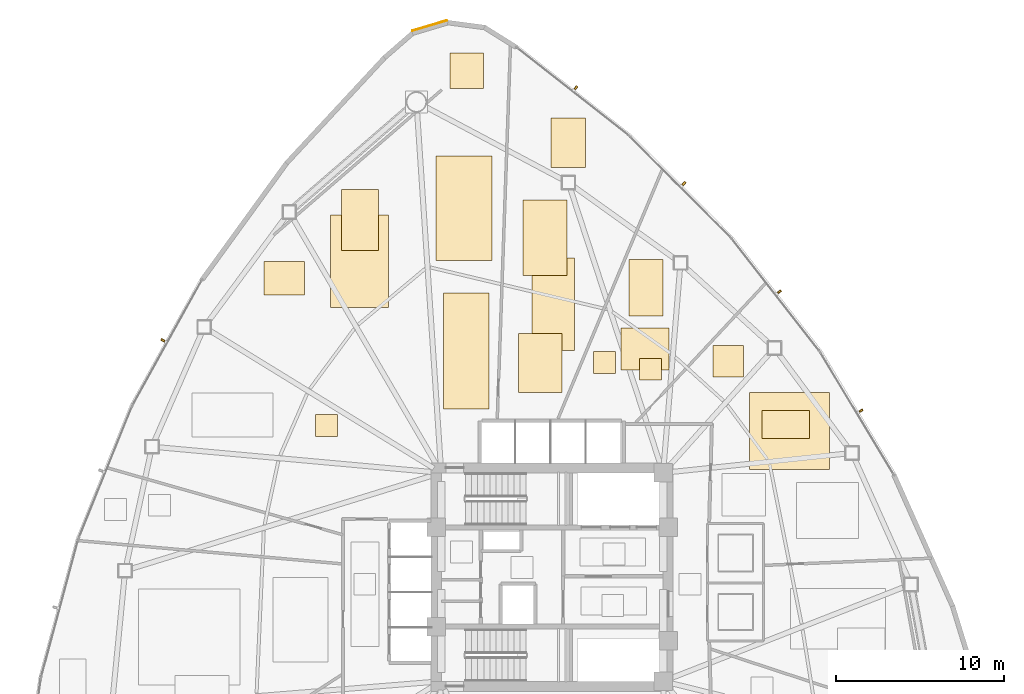
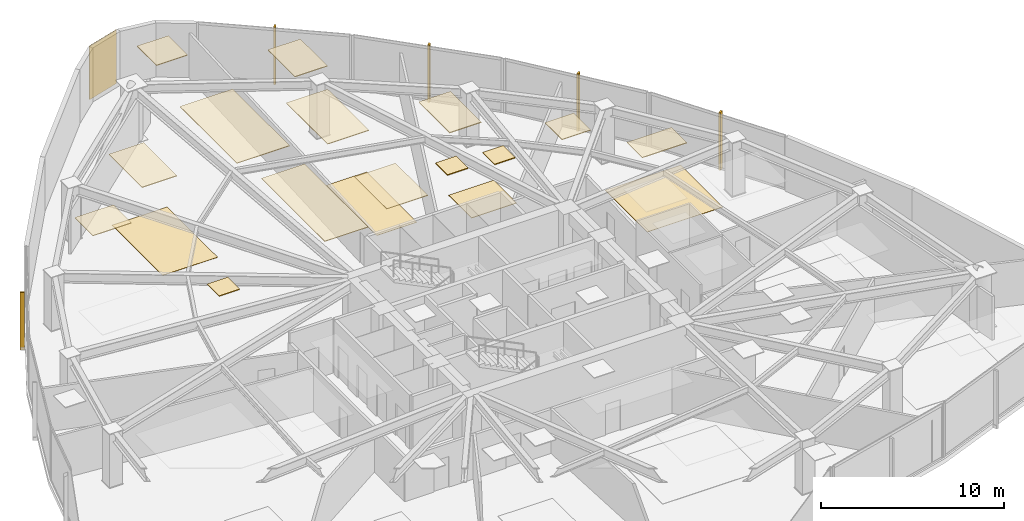
# One storey, part 17 of 17: 19 coverings, 5 shading devices.
"""IFC4 building model written with IfcOpenShell, lengths in metres."""

from ifc_helpers import new_model, si_unit, direction, frame, origin, origin_2d, place, context, subcontext, project, spatial, polyline, rectangle, outline, extrude, source, transform, mapped, material, layer, layer_set, type_object, type_shapes, element, save


model = new_model("IFC4")

# Units and contexts
model_context = context("Model", 3, precision=1e-05, world=origin(), true_north=direction((0.0, 1.0)))
body_context = subcontext(model_context, "Body", "Model", "MODEL_VIEW")
ifc_project = project(units=[si_unit("LENGTHUNIT", "METRE"), si_unit("AREAUNIT", "SQUARE_METRE"), si_unit("VOLUMEUNIT", "CUBIC_METRE"), si_unit("PLANEANGLEUNIT", "RADIAN"), si_unit("MASSUNIT", "GRAM", prefix="KILO")], contexts=[model_context])

# Site, building, storey
site_placement = place(None, origin())
site = spatial("IfcSite", under=ifc_project, at=site_placement, CompositionType="ELEMENT")
building_placement = place(site_placement, origin())
building = spatial("IfcBuilding", under=site, at=building_placement, Name="Tavelor Broadcast Tower", CompositionType="ELEMENT")
storey_placement = place(building_placement, frame((0.0, 0.0, 43.199951171875)))
storey = spatial("IfcBuildingStorey", under=building, at=storey_placement, Name="L09", CompositionType="ELEMENT", Elevation=43.199951171875)

# Coverings
ifc_material_1 = material(Name="Copper-Bronze Anodized Aluminium", Category="aluminium")
ifc_layer_1 = layer(ifc_material_1, 0.050048828125)
ifc_layer_set_1 = layer_set([ifc_layer_1], Name="Copper-Bronze Anodized Aluminium")
covering_type_1 = type_object("IfcCoveringType", Name="Champagne-Bronze Corner Pier Metal Cladding 50 mm", PredefinedType="CLADDING", material=ifc_layer_set_1)
covering_1_placement = place(storey_placement, frame((42.7119140625, 77.81201171875, 0.02001953125), z_axis=(0.0, 0.0, 1.0), x_axis=(-0.958072899462, -0.286524552728, 0.0)))
element("IfcCovering", 1, at=covering_1_placement, inside=storey, type_object=covering_type_1, Name="L09 Champagne-Bronze Corner Cladding 03", PredefinedType="CLADDING", context=body_context, shape_type="SweptSolid", body=[
    extrude(rectangle(XDim=2.1552734375, YDim=0.050048828125, at=origin_2d()), origin(), (0.0, 0.0, 1.0), 3.56005859375),
])
ifc_material_2 = material(Name="Acoustic Nylon Carpet Tile")
ifc_layer_2 = layer(ifc_material_2, 0.02001953125)
ifc_layer_set_2 = layer_set([ifc_layer_2], Name="Acoustic Nylon Carpet Tile")
covering_type_2 = type_object("IfcCoveringType", Name="Heavy-Duty Acoustic Broadcast Carpet Tile 20 mm", PredefinedType="FLOORING", material=ifc_layer_set_2)
covering_2_placement = place(storey_placement, origin())
element("IfcCovering", 2, at=covering_2_placement, inside=storey, type_object=covering_type_2, Name="L09 Broadcast Floor Finish 0112", PredefinedType="FLOORING", context=body_context, shape_type="SweptSolid", body=[
    extrude(outline(polyline([(36.796875, 61.031982421875), (40.260009765625, 61.031982421875), (40.260009765625, 66.54541015625), (36.796875, 66.54541015625), (36.796875, 61.031982421875)])), origin(), (0.0, 0.0, 1.0), 0.02001953125),
])
covering_3_placement = place(storey_placement, origin())
element("IfcCovering", 3, at=covering_3_placement, inside=storey, type_object=covering_type_2, Name="L09 Broadcast Floor Finish 0113", PredefinedType="FLOORING", context=body_context, shape_type="SweptSolid", body=[
    extrude(outline(polyline([(48.805908203125, 58.47509765625), (51.336669921875, 58.47509765625), (51.336669921875, 63.9833984375), (48.805908203125, 63.9833984375), (48.805908203125, 58.47509765625)])), origin(), (0.0, 0.0, 1.0), 0.02001953125),
])
covering_4_placement = place(storey_placement, origin())
element("IfcCovering", 4, at=covering_4_placement, inside=storey, type_object=covering_type_2, Name="L09 Broadcast Floor Finish 0115", PredefinedType="FLOORING", context=body_context, shape_type="SweptSolid", body=[
    extrude(outline(polyline([(61.74853515625, 51.390380859375), (66.505126953125, 51.390380859375), (66.505126953125, 55.987060546875), (61.74853515625, 55.987060546875), (61.74853515625, 51.390380859375)])), origin(), (0.0, 0.0, 1.0), 0.02001953125),
])
ifc_material_3 = material(Name="Acoustic Hardwood Studio Flooring", Category="wood")
ifc_layer_3 = layer(ifc_material_3, 0.034912109375)
ifc_layer_set_3 = layer_set([ifc_layer_3], Name="Acoustic Hardwood Studio Flooring")
covering_type_3 = type_object("IfcCoveringType", Name="Isolated Studio Acoustic Elastomeric Floor Finish 35 mm", PredefinedType="FLOORING", material=ifc_layer_set_3)
covering_5_placement = place(storey_placement, origin())
element("IfcCovering", 5, at=covering_5_placement, inside=storey, type_object=covering_type_3, Name="L09 Broadcast Floor Finish 0114", PredefinedType="FLOORING", context=body_context, shape_type="SweptSolid", body=[
    extrude(outline(polyline([(54.106201171875, 57.32958984375), (56.9453125, 57.32958984375), (56.9453125, 59.8173828125), (54.106201171875, 59.8173828125), (54.106201171875, 57.32958984375)])), origin(), (0.0, 0.0, 1.0), 0.03515625),
])
ifc_material_4 = material(Name="Acoustic Perforated Timber Baffle", Category="wood")
ifc_layer_4 = layer(ifc_material_4, 0.054931640625)
ifc_layer_set_4 = layer_set([ifc_layer_4], Name="Acoustic Perforated Timber Baffle")
covering_type_4 = type_object("IfcCoveringType", Name="Micro-Perforated Acoustic Baffle Studio Ceiling 55 mm", PredefinedType="CEILING", material=ifc_layer_set_4)
covering_6_placement = place(storey_placement, frame((0.0, 0.0, 3.545166015625)))
element("IfcCovering", 6, at=covering_6_placement, inside=storey, type_object=covering_type_4, Name="L09 Suspended Acoustic Ceiling 0329", PredefinedType="CEILING", context=body_context, shape_type="SweptSolid", body=[
    extrude(outline(polyline([(52.469482421875, 57.12646484375), (53.76953125, 57.12646484375), (53.76953125, 58.426513671875), (52.469482421875, 58.426513671875), (52.469482421875, 57.12646484375)])), origin(), (0.0, 0.0, 1.0), 0.054931640625),
])
covering_7_placement = place(storey_placement, frame((0.0, 0.0, 3.545166015625)))
element("IfcCovering", 7, at=covering_7_placement, inside=storey, type_object=covering_type_4, Name="L09 Suspended Acoustic Ceiling 0330", PredefinedType="CEILING", context=body_context, shape_type="SweptSolid", body=[
    extrude(outline(polyline([(54.5849609375, 60.54248046875), (56.587646484375, 60.54248046875), (56.587646484375, 63.90869140625), (54.5849609375, 63.90869140625), (54.5849609375, 60.54248046875)])), origin(), (0.0, 0.0, 1.0), 0.054931640625),
])
covering_8_placement = place(storey_placement, frame((0.0, 0.0, 3.545166015625)))
element("IfcCovering", 8, at=covering_8_placement, inside=storey, type_object=covering_type_4, Name="L09 Suspended Acoustic Ceiling 0331", PredefinedType="CEILING", context=body_context, shape_type="SweptSolid", body=[
    extrude(outline(polyline([(55.204345703125, 56.711181640625), (56.50439453125, 56.711181640625), (56.50439453125, 58.01123046875), (55.204345703125, 58.01123046875), (55.204345703125, 56.711181640625)])), origin(), (0.0, 0.0, 1.0), 0.054931640625),
])
ifc_material_5 = material(Name="Acoustic Mineral Fibre Tile")
ifc_layer_5 = layer(ifc_material_5, 0.0400390625)
ifc_layer_set_5 = layer_set([ifc_layer_5], Name="Acoustic Mineral Fibre Tile")
covering_type_5 = type_object("IfcCoveringType", Name="Suspended Acoustic Mineral-Fibre Office Ceiling 40 mm", PredefinedType="CEILING", material=ifc_layer_set_5)
covering_9_placement = place(storey_placement, frame((0.0, 0.0, 3.56005859375)))
element("IfcCovering", 9, at=covering_9_placement, inside=storey, type_object=covering_type_5, Name="L09 Suspended Acoustic Ceiling 0319", PredefinedType="CEILING", context=body_context, shape_type="SweptSolid", body=[
    extrude(outline(polyline([(32.84033203125, 61.7822265625), (35.2724609375, 61.7822265625), (35.2724609375, 63.76416015625), (32.84033203125, 63.76416015625), (32.84033203125, 61.7822265625)])), origin(), (0.0, 0.0, 1.0), 0.0400390625),
])
covering_10_placement = place(storey_placement, frame((0.0, 0.0, 3.56005859375)))
element("IfcCovering", 10, at=covering_10_placement, inside=storey, type_object=covering_type_5, Name="L09 Suspended Acoustic Ceiling 0320", PredefinedType="CEILING", context=body_context, shape_type="SweptSolid", body=[
    extrude(outline(polyline([(37.46337890625, 64.42236328125), (39.65283203125, 64.42236328125), (39.65283203125, 68.059814453125), (37.46337890625, 68.059814453125), (37.46337890625, 64.42236328125)])), origin(), (0.0, 0.0, 1.0), 0.0400390625),
])
covering_11_placement = place(storey_placement, frame((0.0, 0.0, 3.56005859375)))
element("IfcCovering", 11, at=covering_11_placement, inside=storey, type_object=covering_type_5, Name="L09 Suspended Acoustic Ceiling 0321", PredefinedType="CEILING", context=body_context, shape_type="SweptSolid", body=[
    extrude(outline(polyline([(43.0849609375, 63.827392578125), (46.40966796875, 63.827392578125), (46.40966796875, 70.0439453125), (43.0849609375, 70.0439453125), (43.0849609375, 63.827392578125)])), origin(), (0.0, 0.0, 1.0), 0.0400390625),
])
covering_12_placement = place(storey_placement, frame((0.0, 0.0, 3.56005859375)))
element("IfcCovering", 12, at=covering_12_placement, inside=storey, type_object=covering_type_5, Name="L09 Suspended Acoustic Ceiling 0322", PredefinedType="CEILING", context=body_context, shape_type="SweptSolid", body=[
    extrude(outline(polyline([(43.932861328125, 74.07470703125), (45.905517578125, 74.07470703125), (45.905517578125, 76.192138671875), (43.932861328125, 76.192138671875), (43.932861328125, 74.07470703125)])), origin(), (0.0, 0.0, 1.0), 0.0400390625),
])
covering_13_placement = place(storey_placement, frame((0.0, 0.0, 3.56005859375)))
element("IfcCovering", 13, at=covering_13_placement, inside=storey, type_object=covering_type_5, Name="L09 Suspended Acoustic Ceiling 0323", PredefinedType="CEILING", context=body_context, shape_type="SweptSolid", body=[
    extrude(outline(polyline([(43.518798828125, 54.9951171875), (46.243896484375, 54.9951171875), (46.243896484375, 61.909912109375), (43.518798828125, 61.909912109375), (43.518798828125, 54.9951171875)])), origin(), (0.0, 0.0, 1.0), 0.0400390625),
])
covering_14_placement = place(storey_placement, frame((0.0, 0.0, 3.56005859375)))
element("IfcCovering", 14, at=covering_14_placement, inside=storey, type_object=covering_type_5, Name="L09 Suspended Acoustic Ceiling 0325", PredefinedType="CEILING", context=body_context, shape_type="SweptSolid", body=[
    extrude(outline(polyline([(35.9296875, 53.377197265625), (37.229736328125, 53.377197265625), (37.229736328125, 54.677001953125), (35.9296875, 54.677001953125), (35.9296875, 53.377197265625)])), origin(), (0.0, 0.0, 1.0), 0.0400390625),
])
covering_15_placement = place(storey_placement, frame((0.0, 0.0, 3.56005859375)))
element("IfcCovering", 15, at=covering_15_placement, inside=storey, type_object=covering_type_5, Name="L09 Suspended Acoustic Ceiling 0326", PredefinedType="CEILING", context=body_context, shape_type="SweptSolid", body=[
    extrude(outline(polyline([(47.990478515625, 55.9765625), (50.57373046875, 55.9765625), (50.57373046875, 59.50048828125), (47.990478515625, 59.50048828125), (47.990478515625, 55.9765625)])), origin(), (0.0, 0.0, 1.0), 0.0400390625),
])
covering_16_placement = place(storey_placement, frame((0.0, 0.0, 3.56005859375)))
element("IfcCovering", 16, at=covering_16_placement, inside=storey, type_object=covering_type_5, Name="L09 Suspended Acoustic Ceiling 0327", PredefinedType="CEILING", context=body_context, shape_type="SweptSolid", body=[
    extrude(outline(polyline([(48.278564453125, 62.93505859375), (50.883544921875, 62.93505859375), (50.883544921875, 67.439453125), (48.278564453125, 67.439453125), (48.278564453125, 62.93505859375)])), origin(), (0.0, 0.0, 1.0), 0.0400390625),
])
covering_17_placement = place(storey_placement, frame((0.0, 0.0, 3.56005859375)))
element("IfcCovering", 17, at=covering_17_placement, inside=storey, type_object=covering_type_5, Name="L09 Suspended Acoustic Ceiling 0328", PredefinedType="CEILING", context=body_context, shape_type="SweptSolid", body=[
    extrude(outline(polyline([(49.931884765625, 69.361572265625), (51.983642578125, 69.361572265625), (51.983642578125, 72.31884765625), (49.931884765625, 72.31884765625), (49.931884765625, 69.361572265625)])), origin(), (0.0, 0.0, 1.0), 0.0400390625),
])
covering_18_placement = place(storey_placement, frame((0.0, 0.0, 3.56005859375)))
element("IfcCovering", 18, at=covering_18_placement, inside=storey, type_object=covering_type_5, Name="L09 Suspended Acoustic Ceiling 0332", PredefinedType="CEILING", context=body_context, shape_type="SweptSolid", body=[
    extrude(outline(polyline([(59.562255859375, 56.906982421875), (61.372314453125, 56.906982421875), (61.372314453125, 58.76611328125), (59.562255859375, 58.76611328125), (59.562255859375, 56.906982421875)])), origin(), (0.0, 0.0, 1.0), 0.0400390625),
])
covering_19_placement = place(storey_placement, frame((0.0, 0.0, 3.56005859375)))
element("IfcCovering", 19, at=covering_19_placement, inside=storey, type_object=covering_type_5, Name="L09 Suspended Acoustic Ceiling 0335", PredefinedType="CEILING", context=body_context, shape_type="SweptSolid", body=[
    extrude(outline(polyline([(62.492431640625, 53.234375), (65.3046875, 53.234375), (65.3046875, 54.909423828125), (62.492431640625, 54.909423828125), (62.492431640625, 53.234375)])), origin(), (0.0, 0.0, 1.0), 0.0400390625),
])

# Shading devices
ifc_material_6 = material(Name="Kiln-Fired Glazed Terracotta", Category="masonry")
shading_device_type = type_object("IfcShadingDeviceType", Name="Extruded Terracotta Baguette Sun-Screen 110x240", PredefinedType="JALOUSIE", material=ifc_material_6)
shared_shape = source(origin(), body_context, "Body", "SweptSolid", [
    extrude(rectangle(XDim=0.110107421875, YDim=0.239990234375, at=origin_2d()), origin(), (0.0, 0.0, 1.0), 3.840087890625),
])
type_shapes(shading_device_type, [shared_shape])
for number, where, z_axis, x_axis, name in (
    (20, (26.831298828125, 59.09130859375, -0.259765625), (0.0, 0.0, 1.0), (-0.484504290844, -0.874788884333, 0.0), "L09 Terracotta Baguette Fin 61"),
    (21, (68.3876953125, 54.9013671875, -0.259765625), (0.0, 0.0, 1.0), (-0.515337251359, 0.856987466281, 0.0), "L09 Terracotta Baguette Fin 69"),
    (22, (63.5234375, 61.97900390625, -0.259765625), (0.0, 0.0, 1.0), (-0.615386370179, 0.78822561199, 0.0), "L09 Terracotta Baguette Fin 70"),
    (23, (57.83837890625, 68.415771484375, -0.259765625), (0.0, 0.0, 1.0), (-0.706242359774, 0.707970147154, 0.0), "L09 Terracotta Baguette Fin 71"),
    (24, (51.41650390625, 74.117431640625, -0.259765625), (0.0, 0.0, 1.0), (-0.78671958787, 0.617310529686, 0.0), "L09 Terracotta Baguette Fin 72"),
):
    element("IfcShadingDevice", number, at=place(storey_placement, frame(where, z_axis=z_axis, x_axis=x_axis)), inside=storey, type_object=shading_device_type, Name=name, PredefinedType="JALOUSIE", context=body_context, shape_type="MappedRepresentation", body=[
        mapped(shared_shape, transform((0.0, 0.0, 0.0), scale=1.0)),
    ])

save(model, "model.ifc")
